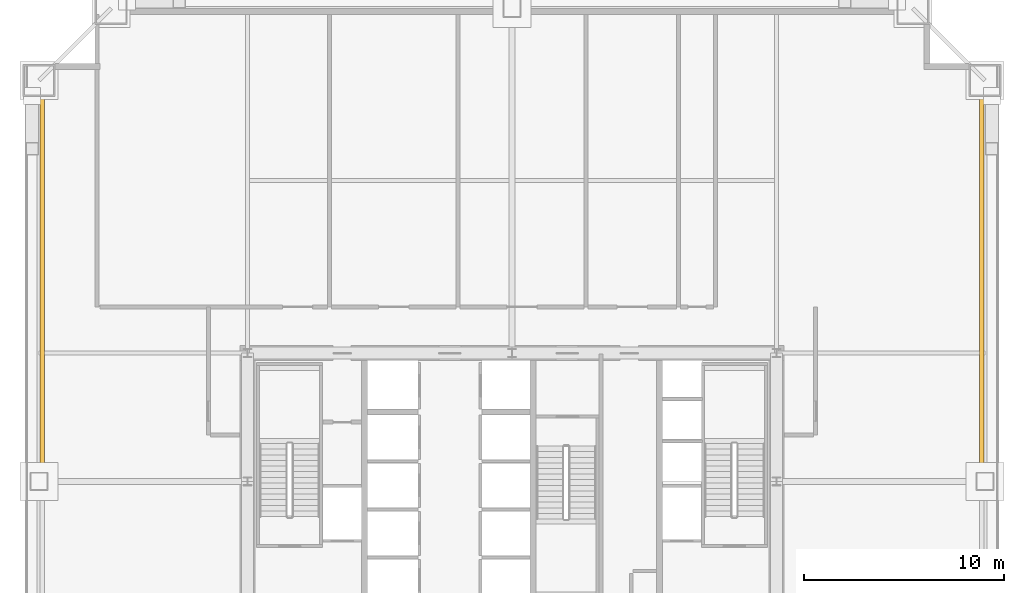
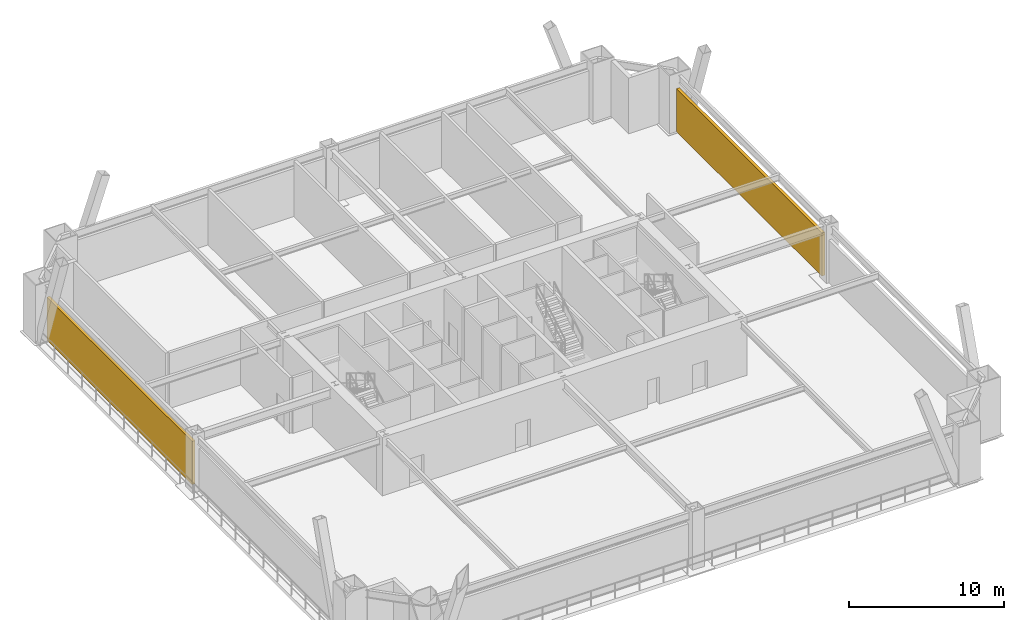
# One storey, part 9 of 9: 2 shading devices.
"""IFC4 building model written with IfcOpenShell, lengths in metres."""

from ifc_helpers import new_model, si_unit, direction, frame, origin, origin_2d, place, context, subcontext, project, spatial, rectangle, extrude, source, transform, mapped, material, layer, layer_set, type_object, element, save


model = new_model("IFC4")

# Units and contexts
model_context = context("Model", 3, precision=1e-05, world=origin(), true_north=direction((0.0, 1.0)))
body_context = subcontext(model_context, "Body", "Model", "MODEL_VIEW")
ifc_project = project(units=[si_unit("LENGTHUNIT", "METRE"), si_unit("AREAUNIT", "SQUARE_METRE"), si_unit("VOLUMEUNIT", "CUBIC_METRE"), si_unit("PLANEANGLEUNIT", "RADIAN"), si_unit("MASSUNIT", "GRAM", prefix="KILO"), si_unit("THERMODYNAMICTEMPERATUREUNIT", "KELVIN"), si_unit("POWERUNIT", "WATT")], contexts=[model_context])

# Site, building, storey
site_placement = place(None, origin())
site = spatial("IfcSite", under=ifc_project, at=site_placement, CompositionType="ELEMENT")
building_placement = place(site_placement, origin())
building = spatial("IfcBuilding", under=site, at=building_placement, Name="Yuzanri Waterfront Tower", CompositionType="ELEMENT")
storey_placement = place(building_placement, frame((0.0, 0.0, 85.60009765625)))
storey = spatial("IfcBuildingStorey", under=building, at=storey_placement, Name="L22", CompositionType="ELEMENT", Elevation=85.60009765625)

# Shading devices
ifc_material = material(Name="Anodized Architectural Bronze", Category="metal")
ifc_layer = layer(ifc_material, 0.219970703125)
ifc_layer_set = layer_set([ifc_layer], Name="Anodized Architectural Bronze")
shading_device_type = type_object("IfcShadingDeviceType", Name="Anodized Bronze Refuge Wind-Diffusing Louvre Screen 220", PredefinedType="USERDEFINED", material=ifc_layer_set)
shared_shape = source(origin(), body_context, "Body", "SweptSolid", [
    extrude(rectangle(XDim=0.219970703125, YDim=18.75, at=origin_2d()), origin(), (0.0, 0.0, 1.0), 3.39990234375),
])
for number, where, z_axis, x_axis, name in (
    (1, (13.550048828125, 35.625, 0.0), (0.0, 0.0, 1.0), (1.0, 0.0, 0.0), "L22 Wind-Diffusing Refuge Louvre WR"),
    (2, (60.449951171875, 35.625, 0.0), (0.0, 0.0, 1.0), (1.0, 0.0, 0.0), "L22 Wind-Diffusing Refuge Louvre ER"),
):
    element("IfcShadingDevice", number, at=place(storey_placement, frame(where, z_axis=z_axis, x_axis=x_axis)), inside=storey, type_object=shading_device_type, Name=name, ObjectType="LOUVRE", PredefinedType="USERDEFINED", context=body_context, shape_type="MappedRepresentation", body=[
        mapped(shared_shape, transform((0.0, 0.0, 0.0), scale=1.0)),
    ])

save(model, "model.ifc")
